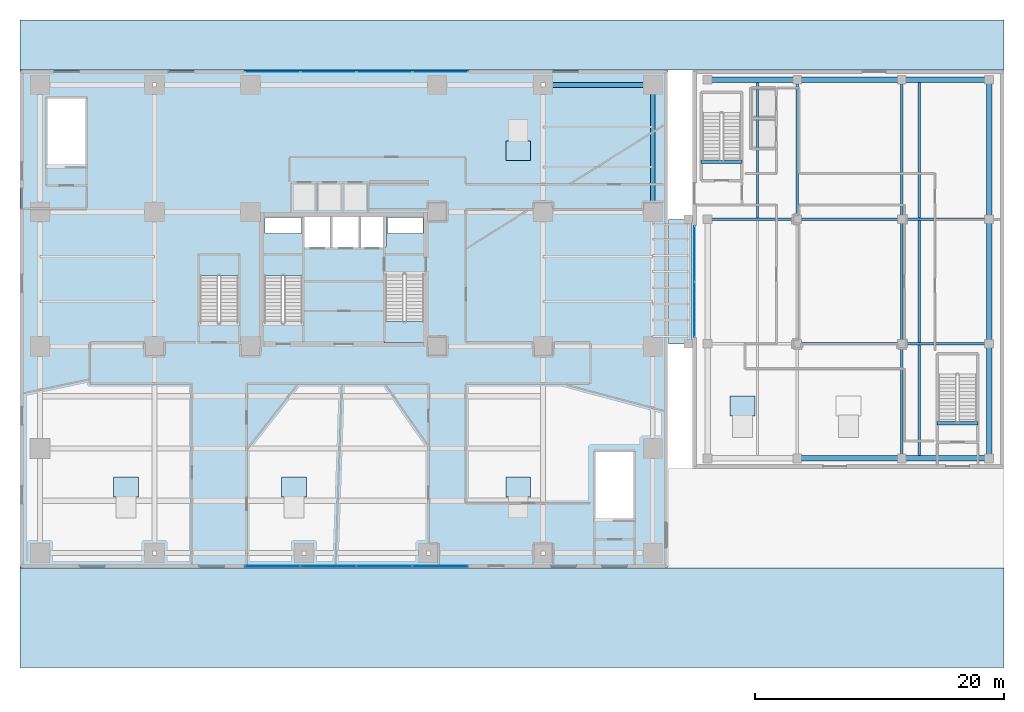
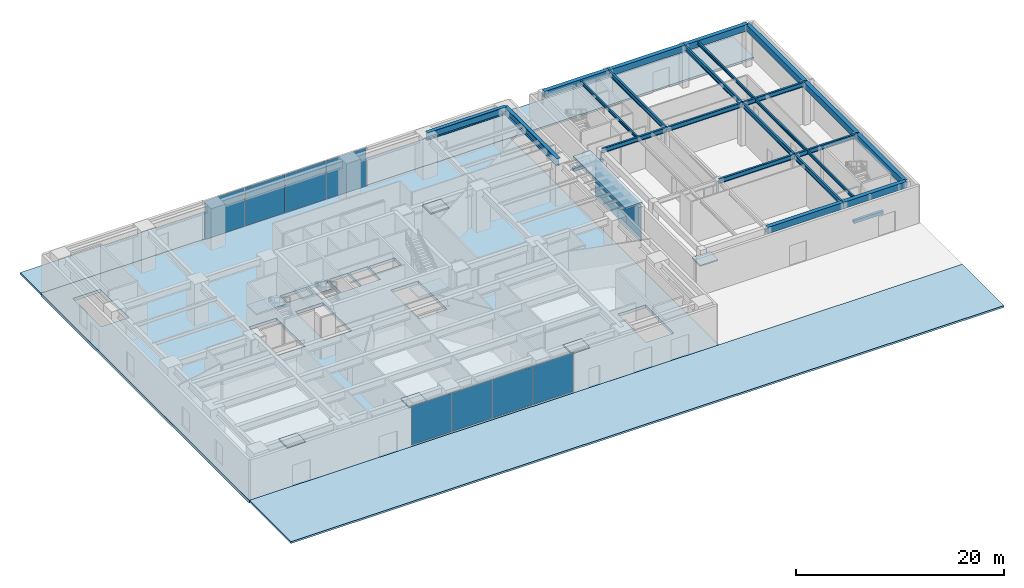
# One storey, part 16 of 28: 25 beams, 12 slabs, 10 plates, 6 elements without a shape of their own.
"""IFC4 building model written with IfcOpenShell, lengths in metres."""

from ifc_helpers import new_model, si_unit, direction, frame, origin, origin_2d, place, context, subcontext, project, spatial, polyline, rectangle, i_section, outline, extrude, source, transform, mapped, material, layer, layer_set, material_profile, profile_set, type_object, type_shapes, element, aggregate, save


model = new_model("IFC4")

# Units and contexts
model_context = context("Model", 3, precision=1e-05, world=origin(), true_north=direction((0.0, 1.0)))
body_context = subcontext(model_context, "Body", "Model", "MODEL_VIEW")
ifc_project = project(units=[si_unit("LENGTHUNIT", "METRE"), si_unit("AREAUNIT", "SQUARE_METRE"), si_unit("VOLUMEUNIT", "CUBIC_METRE"), si_unit("PLANEANGLEUNIT", "RADIAN"), si_unit("MASSUNIT", "GRAM", prefix="KILO")], contexts=[model_context])

# Site, building, storey
site_placement = place(None, origin())
site = spatial("IfcSite", under=ifc_project, at=site_placement, CompositionType="ELEMENT")
building_placement = place(site_placement, origin())
building = spatial("IfcBuilding", under=site, at=building_placement, Name="Talar Marvaseh", CompositionType="ELEMENT")
storey_placement = place(building_placement, origin())
storey = spatial("IfcBuildingStorey", under=building, at=storey_placement, Name="L00", CompositionType="ELEMENT", Elevation=0.0)

# Beams
ifc_material_1 = material(Name="Steel S355", Category="steel")
ifc_material_profile_1 = material_profile(ifc_material_1, i_section(OverallWidth=0.39990234375, OverallDepth=0.85498046875, WebThickness=0.018310546875, FlangeThickness=0.029296875, at=origin_2d()), Name="W840x299")
ifc_profile_set_1 = profile_set([ifc_material_profile_1], Name="Steel S355")
beam_type_1 = type_object("IfcBeamType", Name="Concourse Primary Girder W840x299", PredefinedType="BEAM", material=ifc_profile_set_1)
beam_1_placement = place(storey_placement, frame((42.0, 46.800048828125, 4.472412109375), z_axis=(1.0, 0.0, 0.0), x_axis=(0.0, 1.0, 0.0)))
element("IfcBeam", 1, at=beam_1_placement, inside=storey, type_object=beam_type_1, Name="L00 Concourse Primary Girder W840x299", PredefinedType="BEAM", context=body_context, shape_type="SweptSolid", body=[
    extrude(i_section(OverallWidth=0.39990234375, OverallDepth=0.85498046875, WebThickness=0.018310546875, FlangeThickness=0.029296875, at=origin_2d()), origin(), (0.0, 0.0, 1.0), 8.800048828125),
])
beam_2_placement = place(storey_placement, frame((50.800048828125, 36.60009765625, 4.472412109375), z_axis=(0.0, 1.0, 0.0), x_axis=(-1.0, 0.0, 0.0)))
element("IfcBeam", 2, at=beam_2_placement, inside=storey, type_object=beam_type_1, Name="L00 Concourse Primary Girder W840x299", PredefinedType="BEAM", context=body_context, shape_type="SweptSolid", body=[
    extrude(i_section(OverallWidth=0.39990234375, OverallDepth=0.85498046875, WebThickness=0.018310546875, FlangeThickness=0.029296875, at=origin_2d()), origin(), (0.0, 0.0, 1.0), 10.199951171875),
])
ifc_material_2 = material(Name="Concrete C40/50", Category="concrete")
ifc_material_profile_2 = material_profile(ifc_material_2, rectangle(XDim=0.300048828125, YDim=0.360107421875, at=origin_2d()), Name="RC300x360")
ifc_profile_set_2 = profile_set([ifc_material_profile_2], Name="Concrete C40/50")
beam_type_2 = type_object("IfcBeamType", Name="Concrete Stair Landing Trimmer Beam RC300x360", PredefinedType="SPANDREL", material=ifc_profile_set_2)
beam_3_placement = place(storey_placement, frame((57.97998046875, 40.6298828125, -0.179931640625), z_axis=(-1.0, 0.0, 0.0), x_axis=(0.0, -1.0, 0.0)))
element("IfcBeam", 3, at=beam_3_placement, inside=storey, type_object=beam_type_2, Name="L00 MH-ST1 Stair Nosing Trimmer Beam", PredefinedType="SPANDREL", context=body_context, shape_type="SweptSolid", body=[
    extrude(rectangle(XDim=0.300048828125, YDim=0.360107421875, at=origin_2d()), origin(), (0.0, 0.0, 1.0), 3.300048828125),
])
beam_4_placement = place(storey_placement, frame((76.919921875, 19.6298828125, -0.179931640625), z_axis=(-1.0, 0.0, 0.0), x_axis=(0.0, -1.0, 0.0)))
element("IfcBeam", 4, at=beam_4_placement, inside=storey, type_object=beam_type_2, Name="L00 MH-ST2 Stair Nosing Trimmer Beam", PredefinedType="SPANDREL", context=body_context, shape_type="SweptSolid", body=[
    extrude(rectangle(XDim=0.300048828125, YDim=0.360107421875, at=origin_2d()), origin(), (0.0, 0.0, 1.0), 3.2998046875),
])
ifc_material_profile_3 = material_profile(ifc_material_2, rectangle(XDim=0.449951171875, YDim=0.75, at=origin_2d()), Name="RC450x750")
ifc_profile_set_3 = profile_set([ifc_material_profile_3], Name="Concrete C40/50")
beam_type_3 = type_object("IfcBeamType", Name="Market Concrete Edge Beam RC450x750", PredefinedType="SPANDREL", material=ifc_profile_set_3)
beam_5_placement = place(storey_placement, frame((62.39990234375, 16.800048828125, 4.52490234375), z_axis=(1.0, 0.0, 0.0), x_axis=(0.0, 1.0, 0.0)))
element("IfcBeam", 5, at=beam_5_placement, inside=storey, type_object=beam_type_3, Name="L00 Market Concrete Edge Beam RC450x750", PredefinedType="SPANDREL", context=body_context, shape_type="SweptSolid", body=[
    extrude(rectangle(XDim=0.449951171875, YDim=0.75, at=origin_2d()), origin(), (0.0, 0.0, 1.0), 8.400146484375),
])
beam_6_placement = place(storey_placement, frame((70.800048828125, 16.800048828125, 4.52490234375), z_axis=(1.0, 0.0, 0.0), x_axis=(0.0, 1.0, 0.0)))
element("IfcBeam", 6, at=beam_6_placement, inside=storey, type_object=beam_type_3, Name="L00 Market Concrete Edge Beam RC450x750", PredefinedType="SPANDREL", context=body_context, shape_type="SweptSolid", body=[
    extrude(rectangle(XDim=0.449951171875, YDim=0.75, at=origin_2d()), origin(), (0.0, 0.0, 1.0), 7.0),
])
beam_7_placement = place(storey_placement, frame((55.199951171875, 47.199951171875, 4.52490234375), z_axis=(1.0, 0.0, 0.0), x_axis=(0.0, 1.0, 0.0)))
element("IfcBeam", 7, at=beam_7_placement, inside=storey, type_object=beam_type_3, Name="L00 Market Concrete Edge Beam RC450x750", PredefinedType="SPANDREL", context=body_context, shape_type="SweptSolid", body=[
    extrude(rectangle(XDim=0.449951171875, YDim=0.75, at=origin_2d()), origin(), (0.0, 0.0, 1.0), 7.199951171875),
])
beam_8_placement = place(storey_placement, frame((62.39990234375, 47.199951171875, 4.52490234375), z_axis=(1.0, 0.0, 0.0), x_axis=(0.0, 1.0, 0.0)))
element("IfcBeam", 8, at=beam_8_placement, inside=storey, type_object=beam_type_3, Name="L00 Market Concrete Edge Beam RC450x750", PredefinedType="SPANDREL", context=body_context, shape_type="SweptSolid", body=[
    extrude(rectangle(XDim=0.449951171875, YDim=0.75, at=origin_2d()), origin(), (0.0, 0.0, 1.0), 8.400146484375),
])
beam_9_placement = place(storey_placement, frame((70.800048828125, 47.199951171875, 4.52490234375), z_axis=(1.0, 0.0, 0.0), x_axis=(0.0, 1.0, 0.0)))
element("IfcBeam", 9, at=beam_9_placement, inside=storey, type_object=beam_type_3, Name="L00 Market Concrete Edge Beam RC450x750", PredefinedType="SPANDREL", context=body_context, shape_type="SweptSolid", body=[
    extrude(rectangle(XDim=0.449951171875, YDim=0.75, at=origin_2d()), origin(), (0.0, 0.0, 1.0), 7.0),
])
beam_10_placement = place(storey_placement, frame((77.800048828125, 16.800048828125, 4.52490234375), z_axis=(0.0, 1.0, 0.0), x_axis=(-1.0, 0.0, 0.0)))
element("IfcBeam", 10, at=beam_10_placement, inside=storey, type_object=beam_type_3, Name="L00 Market Concrete Edge Beam RC450x750", PredefinedType="SPANDREL", context=body_context, shape_type="SweptSolid", body=[
    extrude(rectangle(XDim=0.449951171875, YDim=0.75, at=origin_2d()), origin(), (0.0, 0.0, 1.0), 9.199951171875),
])
beam_11_placement = place(storey_placement, frame((77.800048828125, 26.0, 4.52490234375), z_axis=(0.0, 1.0, 0.0), x_axis=(-1.0, 0.0, 0.0)))
element("IfcBeam", 11, at=beam_11_placement, inside=storey, type_object=beam_type_3, Name="L00 Market Concrete Edge Beam RC450x750", PredefinedType="SPANDREL", context=body_context, shape_type="SweptSolid", body=[
    extrude(rectangle(XDim=0.449951171875, YDim=0.75, at=origin_2d()), origin(), (0.0, 0.0, 1.0), 10.0),
])
beam_12_placement = place(storey_placement, frame((77.800048828125, 36.0, 4.52490234375), z_axis=(0.0, 1.0, 0.0), x_axis=(-1.0, 0.0, 0.0)))
element("IfcBeam", 12, at=beam_12_placement, inside=storey, type_object=beam_type_3, Name="L00 Market Concrete Edge Beam RC450x750", PredefinedType="SPANDREL", context=body_context, shape_type="SweptSolid", body=[
    extrude(rectangle(XDim=0.449951171875, YDim=0.75, at=origin_2d()), origin(), (0.0, 0.0, 1.0), 11.199951171875),
])
ifc_material_profile_4 = material_profile(ifc_material_1, i_section(OverallWidth=0.2119140625, OverallDepth=0.5439453125, WebThickness=0.01318359375, FlangeThickness=0.021240234375, at=origin_2d()), Name="W530x123")
ifc_profile_set_4 = profile_set([ifc_material_profile_4], Name="Steel S355")
beam_type_4 = type_object("IfcBeamType", Name="Market Hall Primary Girder W530x123", PredefinedType="BEAM", material=ifc_profile_set_4)
beam_13_placement = place(storey_placement, frame((62.39990234375, 26.0, 4.6279296875), z_axis=(1.0, 0.0, 0.0), x_axis=(0.0, 1.0, 0.0)))
element("IfcBeam", 13, at=beam_13_placement, inside=storey, type_object=beam_type_4, Name="L00 Market Hall Primary Girder W530x123", PredefinedType="BEAM", context=body_context, shape_type="SweptSolid", body=[
    extrude(i_section(OverallWidth=0.2119140625, OverallDepth=0.5439453125, WebThickness=0.01318359375, FlangeThickness=0.021240234375, at=origin_2d()), origin(), (0.0, 0.0, 1.0), 8.400146484375),
])
beam_14_placement = place(storey_placement, frame((70.800048828125, 26.0, 4.6279296875), z_axis=(1.0, 0.0, 0.0), x_axis=(0.0, 1.0, 0.0)))
element("IfcBeam", 14, at=beam_14_placement, inside=storey, type_object=beam_type_4, Name="L00 Market Hall Primary Girder W530x123", PredefinedType="BEAM", context=body_context, shape_type="SweptSolid", body=[
    extrude(i_section(OverallWidth=0.2119140625, OverallDepth=0.5439453125, WebThickness=0.01318359375, FlangeThickness=0.021240234375, at=origin_2d()), origin(), (0.0, 0.0, 1.0), 7.0),
])
beam_15_placement = place(storey_placement, frame((55.199951171875, 36.0, 4.6279296875), z_axis=(1.0, 0.0, 0.0), x_axis=(0.0, 1.0, 0.0)))
element("IfcBeam", 15, at=beam_15_placement, inside=storey, type_object=beam_type_4, Name="L00 Market Hall Primary Girder W530x123", PredefinedType="BEAM", context=body_context, shape_type="SweptSolid", body=[
    extrude(i_section(OverallWidth=0.2119140625, OverallDepth=0.5439453125, WebThickness=0.01318359375, FlangeThickness=0.021240234375, at=origin_2d()), origin(), (0.0, 0.0, 1.0), 7.199951171875),
])
beam_16_placement = place(storey_placement, frame((62.39990234375, 36.0, 4.6279296875), z_axis=(1.0, 0.0, 0.0), x_axis=(0.0, 1.0, 0.0)))
element("IfcBeam", 16, at=beam_16_placement, inside=storey, type_object=beam_type_4, Name="L00 Market Hall Primary Girder W530x123", PredefinedType="BEAM", context=body_context, shape_type="SweptSolid", body=[
    extrude(i_section(OverallWidth=0.2119140625, OverallDepth=0.5439453125, WebThickness=0.01318359375, FlangeThickness=0.021240234375, at=origin_2d()), origin(), (0.0, 0.0, 1.0), 8.400146484375),
])
beam_17_placement = place(storey_placement, frame((70.800048828125, 36.0, 4.6279296875), z_axis=(1.0, 0.0, 0.0), x_axis=(0.0, 1.0, 0.0)))
element("IfcBeam", 17, at=beam_17_placement, inside=storey, type_object=beam_type_4, Name="L00 Market Hall Primary Girder W530x123", PredefinedType="BEAM", context=body_context, shape_type="SweptSolid", body=[
    extrude(i_section(OverallWidth=0.2119140625, OverallDepth=0.5439453125, WebThickness=0.01318359375, FlangeThickness=0.021240234375, at=origin_2d()), origin(), (0.0, 0.0, 1.0), 7.0),
])
beam_18_placement = place(storey_placement, frame((62.39990234375, 36.0, 4.6279296875), z_axis=(0.0, 1.0, 0.0), x_axis=(-1.0, 0.0, 0.0)))
element("IfcBeam", 18, at=beam_18_placement, inside=storey, type_object=beam_type_4, Name="L00 Market Hall Primary Girder W530x123", PredefinedType="BEAM", context=body_context, shape_type="SweptSolid", body=[
    extrude(i_section(OverallWidth=0.2119140625, OverallDepth=0.5439453125, WebThickness=0.01318359375, FlangeThickness=0.021240234375, at=origin_2d()), origin(), (0.0, 0.0, 1.0), 11.199951171875),
])
beam_19_placement = place(storey_placement, frame((70.800048828125, 16.800048828125, 4.6279296875), z_axis=(0.0, 1.0, 0.0), x_axis=(-1.0, 0.0, 0.0)))
element("IfcBeam", 19, at=beam_19_placement, inside=storey, type_object=beam_type_4, Name="L00 Market Hall Primary Girder W530x123", PredefinedType="BEAM", context=body_context, shape_type="SweptSolid", body=[
    extrude(i_section(OverallWidth=0.2119140625, OverallDepth=0.5439453125, WebThickness=0.01318359375, FlangeThickness=0.021240234375, at=origin_2d()), origin(), (0.0, 0.0, 1.0), 9.199951171875),
])
beam_20_placement = place(storey_placement, frame((70.800048828125, 26.0, 4.6279296875), z_axis=(0.0, 1.0, 0.0), x_axis=(-1.0, 0.0, 0.0)))
element("IfcBeam", 20, at=beam_20_placement, inside=storey, type_object=beam_type_4, Name="L00 Market Hall Primary Girder W530x123", PredefinedType="BEAM", context=body_context, shape_type="SweptSolid", body=[
    extrude(i_section(OverallWidth=0.2119140625, OverallDepth=0.5439453125, WebThickness=0.01318359375, FlangeThickness=0.021240234375, at=origin_2d()), origin(), (0.0, 0.0, 1.0), 10.0),
])
beam_21_placement = place(storey_placement, frame((70.800048828125, 36.0, 4.6279296875), z_axis=(0.0, 1.0, 0.0), x_axis=(-1.0, 0.0, 0.0)))
element("IfcBeam", 21, at=beam_21_placement, inside=storey, type_object=beam_type_4, Name="L00 Market Hall Primary Girder W530x123", PredefinedType="BEAM", context=body_context, shape_type="SweptSolid", body=[
    extrude(i_section(OverallWidth=0.2119140625, OverallDepth=0.5439453125, WebThickness=0.01318359375, FlangeThickness=0.021240234375, at=origin_2d()), origin(), (0.0, 0.0, 1.0), 11.199951171875),
])
ifc_material_profile_5 = material_profile(ifc_material_1, i_section(OverallWidth=0.172119140625, OverallDepth=0.35791015625, WebThickness=0.0078125, FlangeThickness=0.01318359375, at=origin_2d()), Name="W360x57")
ifc_profile_set_5 = profile_set([ifc_material_profile_5], Name="Steel S355")
beam_type_5 = type_object("IfcBeamType", Name="Zone 2 Secondary Floor Joist W360x57", PredefinedType="JOIST", material=ifc_profile_set_5)
beam_22_placement = place(storey_placement, frame((59.199951171875, 36.10498046875, 4.720947265625), z_axis=(0.0, 1.0, 0.0), x_axis=(-1.0, 0.0, 0.0)))
element("IfcBeam", 22, at=beam_22_placement, inside=storey, type_object=beam_type_5, Name="L00 Zone 2 Secondary Floor Joist W360x57", PredefinedType="JOIST", context=body_context, shape_type="SweptSolid", body=[
    extrude(i_section(OverallWidth=0.172119140625, OverallDepth=0.35791015625, WebThickness=0.0078125, FlangeThickness=0.01318359375, at=origin_2d()), origin(), (0.0, 0.0, 1.0), 10.875),
])
beam_23_placement = place(storey_placement, frame((72.199951171875, 17.02001953125, 4.720947265625), z_axis=(0.0, 1.0, 0.0), x_axis=(-1.0, 0.0, 0.0)))
element("IfcBeam", 23, at=beam_23_placement, inside=storey, type_object=beam_type_5, Name="L00 Zone 2 Secondary Floor Joist W360x57", PredefinedType="JOIST", context=body_context, shape_type="SweptSolid", body=[
    extrude(i_section(OverallWidth=0.172119140625, OverallDepth=0.35791015625, WebThickness=0.0078125, FlangeThickness=0.01318359375, at=origin_2d()), origin(), (0.0, 0.0, 1.0), 8.875),
])
beam_24_placement = place(storey_placement, frame((72.199951171875, 26.10498046875, 4.720947265625), z_axis=(0.0, 1.0, 0.0), x_axis=(-1.0, 0.0, 0.0)))
element("IfcBeam", 24, at=beam_24_placement, inside=storey, type_object=beam_type_5, Name="L00 Zone 2 Secondary Floor Joist W360x57", PredefinedType="JOIST", context=body_context, shape_type="SweptSolid", body=[
    extrude(i_section(OverallWidth=0.172119140625, OverallDepth=0.35791015625, WebThickness=0.0078125, FlangeThickness=0.01318359375, at=origin_2d()), origin(), (0.0, 0.0, 1.0), 9.7900390625),
])
beam_25_placement = place(storey_placement, frame((72.199951171875, 36.10498046875, 4.720947265625), z_axis=(0.0, 1.0, 0.0), x_axis=(-1.0, 0.0, 0.0)))
element("IfcBeam", 25, at=beam_25_placement, inside=storey, type_object=beam_type_5, Name="L00 Zone 2 Secondary Floor Joist W360x57", PredefinedType="JOIST", context=body_context, shape_type="SweptSolid", body=[
    extrude(i_section(OverallWidth=0.172119140625, OverallDepth=0.35791015625, WebThickness=0.0078125, FlangeThickness=0.01318359375, at=origin_2d()), origin(), (0.0, 0.0, 1.0), 10.875),
])

# Slabs
ifc_material_3 = material(Name="Precast concrete C45/55", Category="concrete")
ifc_layer_1 = layer(ifc_material_3, 0.215087890625)
ifc_layer_set_1 = layer_set([ifc_layer_1], Name="Precast concrete C45/55")
slab_type_1 = type_object("IfcSlabType", Name="Chahar-Bagh Public Plaza Granite Paving Slab 215", PredefinedType="USERDEFINED", material=ifc_layer_set_1)
slab_1_placement = place(storey_placement, frame((0.0, 0.0, -0.215087890625)))
element("IfcSlab", 26, at=slab_1_placement, inside=storey, type_object=slab_type_1, Name="L00 Chahar-Bagh Public Plaza Paving 1", ObjectType="PAVING", PredefinedType="USERDEFINED", context=body_context, shape_type="SweptSolid", body=[
    extrude(outline(polyline([(0.0, 0.0), (79.0, 0.0), (79.0, 8.0), (0.0, 8.0), (0.0, 0.0)])), origin(), (0.0, 0.0, 1.0), 0.215087890625),
])
slab_2_placement = place(storey_placement, frame((0.0, 0.0, -0.215087890625)))
element("IfcSlab", 27, at=slab_2_placement, inside=storey, type_object=slab_type_1, Name="L00 Chahar-Bagh Public Plaza Paving 3", ObjectType="PAVING", PredefinedType="USERDEFINED", context=body_context, shape_type="SweptSolid", body=[
    extrude(outline(polyline([(0.0, 48.0), (79.0, 48.0), (79.0, 52.0), (0.0, 52.0), (0.0, 48.0)])), origin(), (0.0, 0.0, 1.0), 0.215087890625),
])
ifc_layer_2 = layer(ifc_material_3, 0.22509765625)
ifc_layer_set_2 = layer_set([ifc_layer_2], Name="Precast concrete C45/55")
slab_type_2 = type_object("IfcSlabType", Name="Entrance Canopy Roof Slab 225", PredefinedType="ROOF", material=ifc_layer_set_2)
slab_3_placement = place(storey_placement, frame((0.0, 0.0, 4.89990234375)))
element("IfcSlab", 28, at=slab_3_placement, inside=storey, type_object=slab_type_2, Name="L00 Movement-Joint Plaza Link Canopy", PredefinedType="ROOF", context=body_context, shape_type="SweptSolid", body=[
    extrude(outline(polyline([(52.050048828125, 26.0), (53.969970703125, 26.0), (53.969970703125, 36.0), (52.050048828125, 36.0), (52.050048828125, 26.0)])), origin(), (0.0, 0.0, 1.0), 0.22509765625),
])

# Stair, slab
stair_type = type_object("IfcStairType", Name="Reinforced Concrete Half-Turn Exit Stair Type A", PredefinedType="HALF_TURN_STAIR", material=ifc_material_2)
stair_1_placement = place(storey_placement, origin())
stair_1 = element("IfcStair", 29, at=stair_1_placement, inside=storey, type_object=stair_type, Name="L00 Tower West Core Exit Stair", PredefinedType="HALF_TURN_STAIR")
ifc_layer_3 = layer(ifc_material_2, 0.199951171875)
ifc_layer_set_3 = layer_set([ifc_layer_3], Name="Concrete C40/50")
slab_type_3 = type_object("IfcSlabType", Name="Reinforced Concrete Stair Half-Landing Slab 200", PredefinedType="LANDING", material=ifc_layer_set_3)
slab_4_placement = place(storey_placement, frame((0.0, 0.0, 2.39990234375)))
slab_4 = element("IfcSlab", 30, at=slab_4_placement, type_object=slab_type_3, Name="ST-1 landing 1", PredefinedType="LANDING", context=body_context, shape_type="SweptSolid", body=[
    extrude(outline(polyline([(22.780029296875, 31.449951171875), (22.780029296875, 33.219970703125), (19.47998046875, 33.219970703125), (19.47998046875, 31.449951171875), (22.780029296875, 31.449951171875)])), origin(), (0.0, 0.0, 1.0), 0.2001953125),
])
aggregate(stair_1, [slab_4])

stair_2_placement = place(storey_placement, origin())
stair_2 = element("IfcStair", 31, at=stair_2_placement, inside=storey, type_object=stair_type, Name="L00 Tower East Core Exit Stair", PredefinedType="HALF_TURN_STAIR")
slab_5_placement = place(storey_placement, frame((0.0, 0.0, 2.39990234375)))
slab_5 = element("IfcSlab", 32, at=slab_5_placement, type_object=slab_type_3, Name="ST-2 landing 1", PredefinedType="LANDING", context=body_context, shape_type="SweptSolid", body=[
    extrude(outline(polyline([(29.219970703125, 27.85009765625), (29.219970703125, 26.080078125), (32.52001953125, 26.080078125), (32.52001953125, 27.85009765625), (29.219970703125, 27.85009765625)])), origin(), (0.0, 0.0, 1.0), 0.2001953125),
])
aggregate(stair_2, [slab_5])

stair_3_placement = place(storey_placement, origin())
stair_3 = element("IfcStair", 33, at=stair_3_placement, inside=storey, type_object=stair_type, Name="L00 Museum & Podium Auxiliary Exit Stair", PredefinedType="HALF_TURN_STAIR")
slab_6_placement = place(storey_placement, frame((0.0, 0.0, 2.39990234375)))
slab_6 = element("IfcSlab", 34, at=slab_6_placement, type_object=slab_type_3, Name="ST-3 landing 1", PredefinedType="LANDING", context=body_context, shape_type="SweptSolid", body=[
    extrude(outline(polyline([(17.6201171875, 31.449951171875), (17.6201171875, 33.219970703125), (14.320068359375, 33.219970703125), (14.320068359375, 31.449951171875), (17.6201171875, 31.449951171875)])), origin(), (0.0, 0.0, 1.0), 0.2001953125),
])
aggregate(stair_3, [slab_6])

# Slabs
slab_7_placement = place(storey_placement, origin())
element("IfcSlab", 35, at=slab_7_placement, inside=storey, type_object=slab_type_3, Name="L00 West Gallery Threshold Accessible Ramp Top Landing Plinth", PredefinedType="LANDING", context=body_context, shape_type="SweptSolid", body=[
    extrude(outline(polyline([(7.5, 13.699951171875), (9.5, 13.699951171875), (9.5, 15.300048828125), (7.5, 15.300048828125), (7.5, 13.699951171875)])), origin(), (0.0, 0.0, 1.0), 0.14990234375),
])
slab_8_placement = place(storey_placement, origin())
element("IfcSlab", 36, at=slab_8_placement, inside=storey, type_object=slab_type_3, Name="L00 South Foyer Threshold Accessible Ramp Top Landing Plinth", PredefinedType="LANDING", context=body_context, shape_type="SweptSolid", body=[
    extrude(outline(polyline([(21.0, 13.699951171875), (23.0, 13.699951171875), (23.0, 15.300048828125), (21.0, 15.300048828125), (21.0, 13.699951171875)])), origin(), (0.0, 0.0, 1.0), 0.14990234375),
])
slab_9_placement = place(storey_placement, origin())
element("IfcSlab", 37, at=slab_9_placement, inside=storey, type_object=slab_type_3, Name="L00 East Concourse Threshold Accessible Ramp Top Landing Plinth", PredefinedType="LANDING", context=body_context, shape_type="SweptSolid", body=[
    extrude(outline(polyline([(39.0, 13.699951171875), (41.0, 13.699951171875), (41.0, 15.300048828125), (39.0, 15.300048828125), (39.0, 13.699951171875)])), origin(), (0.0, 0.0, 1.0), 0.14990234375),
])
slab_10_placement = place(storey_placement, origin())
element("IfcSlab", 38, at=slab_10_placement, inside=storey, type_object=slab_type_3, Name="L00 Market South-West Threshold Accessible Ramp Top Landing Plinth", PredefinedType="LANDING", context=body_context, shape_type="SweptSolid", body=[
    extrude(outline(polyline([(57.0, 20.199951171875), (59.0, 20.199951171875), (59.0, 21.800048828125), (57.0, 21.800048828125), (57.0, 20.199951171875)])), origin(), (0.0, 0.0, 1.0), 0.14990234375),
])
slab_11_placement = place(storey_placement, origin())
element("IfcSlab", 39, at=slab_11_placement, inside=storey, type_object=slab_type_3, Name="L00 North Gallery Threshold Accessible Ramp Top Landing Plinth", PredefinedType="LANDING", context=body_context, shape_type="SweptSolid", body=[
    extrude(outline(polyline([(39.0, 40.699951171875), (41.0, 40.699951171875), (41.0, 42.300048828125), (39.0, 42.300048828125), (39.0, 40.699951171875)])), origin(), (0.0, 0.0, 1.0), 0.14990234375),
])
ifc_material_4 = material(Name="Concrete C50/60", Category="concrete")
ifc_layer_4 = layer(ifc_material_4, 0.35009765625)
ifc_layer_set_4 = layer_set([ifc_layer_4], Name="Concrete C50/60")
slab_type_4 = type_object("IfcSlabType", Name="Structural Suspended Floor Slab 350", PredefinedType="FLOOR", material=ifc_layer_set_4)
slab_12_placement = place(storey_placement, frame((0.0, 0.0, -0.35009765625)))
element("IfcSlab", 40, at=slab_12_placement, inside=storey, type_object=slab_type_4, Name="L00 Tower Station Podium Floor Slab", PredefinedType="FLOOR", context=body_context, shape_type="SweptSolid", body=[
    extrude(outline(polyline([(0.0, 8.0), (52.0, 8.0), (52.0, 48.0), (0.0, 48.0), (0.0, 8.0)]), holes=[polyline([(22.659912109375, 27.64990234375), (22.659912109375, 33.10009765625), (19.60009765625, 33.10009765625), (19.60009765625, 27.64990234375), (22.659912109375, 27.64990234375)]), polyline([(29.340087890625, 31.64990234375), (29.340087890625, 26.199951171875), (32.39990234375, 26.199951171875), (32.39990234375, 31.64990234375), (29.340087890625, 31.64990234375)]), polyline([(17.5, 27.64990234375), (17.5, 33.10009765625), (14.43994140625, 33.10009765625), (14.43994140625, 27.64990234375), (17.5, 27.64990234375)]), polyline([(5.260009765625, 40.25), (5.260009765625, 45.699951171875), (2.199951171875, 45.699951171875), (2.199951171875, 40.25), (5.260009765625, 40.25)]), polyline([(49.260009765625, 11.85009765625), (49.260009765625, 17.300048828125), (46.199951171875, 17.300048828125), (46.199951171875, 11.85009765625), (49.260009765625, 11.85009765625)]), polyline([(22.800048828125, 33.719970703125), (24.93994140625, 33.719970703125), (24.93994140625, 36.179931640625), (22.800048828125, 36.179931640625), (22.800048828125, 33.719970703125)]), polyline([(25.080078125, 33.719970703125), (27.219970703125, 33.719970703125), (27.219970703125, 36.179931640625), (25.080078125, 36.179931640625), (25.080078125, 33.719970703125)]), polyline([(27.360107421875, 33.719970703125), (29.39990234375, 33.719970703125), (29.39990234375, 36.179931640625), (27.360107421875, 36.179931640625), (27.360107421875, 33.719970703125)]), polyline([(19.659912109375, 34.840087890625), (22.60009765625, 34.840087890625), (22.60009765625, 36.139892578125), (19.659912109375, 36.139892578125), (19.659912109375, 34.840087890625)]), polyline([(29.52001953125, 34.840087890625), (32.340087890625, 34.840087890625), (32.340087890625, 36.139892578125), (29.52001953125, 36.139892578125), (29.52001953125, 34.840087890625)])]), origin(), (0.0, 0.0, 1.0), 0.35009765625),
])

# Curtain wall, plates
ifc_material_5 = material(Name="Architectural Aluminium", Category="aluminium")
ifc_layer_5 = layer(ifc_material_5, 0.25)
ifc_layer_set_5 = layer_set([ifc_layer_5], Name="Architectural Aluminium")
curtain_wall_type_1 = type_object("IfcCurtainWallType", Name="Station Podium Monumental Iwan Curtain Wall", PredefinedType="NOTDEFINED", material=ifc_layer_set_5)
curtain_wall_1_placement = place(storey_placement, origin())
curtain_wall_1 = element("IfcCurtainWall", 41, at=curtain_wall_1_placement, inside=storey, type_object=curtain_wall_type_1, Name="L00 Station Podium Monumental Iwan Curtain Wall", PredefinedType="NOTDEFINED")
ifc_material_6 = material(Name="Laminated Low-E Solar Glass", Category="glass")
ifc_layer_6 = layer(ifc_material_6, 0.028076171875)
ifc_layer_set_6 = layer_set([ifc_layer_6], Name="Laminated Low-E Solar Glass")
plate_type = type_object("IfcPlateType", Name="Double-Glazed Low-E Vision Curtain Panel 28", PredefinedType="CURTAIN_PANEL", material=ifc_layer_set_6)
shared_shape_1 = source(origin(), body_context, "Body", "SweptSolid", [
    extrude(rectangle(XDim=4.402587890625, YDim=0.028076171875, at=origin_2d()), origin(), (0.0, 0.0, 1.0), 4.52001953125),
])
plate_1_placement = place(storey_placement, frame((33.733642578125, 8.159912109375, 0.06494140625), z_axis=(0.0, 0.0, 1.0), x_axis=(-1.0, 0.0, 0.0)))
plate_1 = element("IfcPlate", 42, at=plate_1_placement, type_object=plate_type, Name="CW-POD panel 1.1", PredefinedType="CURTAIN_PANEL", context=body_context, shape_type="MappedRepresentation", body=[
    mapped(shared_shape_1, transform((0.0, 0.0, 0.0), x_axis=(1.0, 0.0, 0.0), y_axis=(0.0, 1.0, 0.0), z_axis=(0.0, 0.0, 1.0), scale=1.0)),
])
plate_2_placement = place(storey_placement, frame((20.266357421875, 8.159912109375, 0.06494140625), z_axis=(0.0, 0.0, 1.0), x_axis=(-1.0, 0.0, 0.0)))
plate_2 = element("IfcPlate", 43, at=plate_2_placement, type_object=plate_type, Name="CW-POD panel 4.1", PredefinedType="CURTAIN_PANEL", context=body_context, shape_type="MappedRepresentation", body=[
    mapped(shared_shape_1, transform((0.0, 0.0, 0.0), x_axis=(1.0, 0.0, 0.0), y_axis=(0.0, 1.0, 0.0), z_axis=(0.0, 0.0, 1.0), scale=1.0)),
])

curtain_wall_2_placement = place(storey_placement, origin())
curtain_wall_2 = element("IfcCurtainWall", 44, at=curtain_wall_2_placement, inside=storey, type_object=curtain_wall_type_1, Name="L00 Station Podium Monumental Iwan Curtain Wall", PredefinedType="NOTDEFINED")
plate_3_placement = place(storey_placement, frame((20.266357421875, 47.840087890625, 0.06494140625), z_axis=(0.0, 0.0, 1.0), x_axis=(1.0, 0.0, 0.0)))
plate_3 = element("IfcPlate", 45, at=plate_3_placement, type_object=plate_type, Name="CW-POD panel 1.1", PredefinedType="CURTAIN_PANEL", context=body_context, shape_type="MappedRepresentation", body=[
    mapped(shared_shape_1, transform((0.0, 0.0, 0.0), x_axis=(1.0, 0.0, 0.0), y_axis=(0.0, 1.0, 0.0), z_axis=(0.0, 0.0, 1.0), scale=1.0)),
])
plate_4_placement = place(storey_placement, frame((33.733642578125, 47.840087890625, 0.06494140625), z_axis=(0.0, 0.0, 1.0), x_axis=(1.0, 0.0, 0.0)))
plate_4 = element("IfcPlate", 46, at=plate_4_placement, type_object=plate_type, Name="CW-POD panel 4.1", PredefinedType="CURTAIN_PANEL", context=body_context, shape_type="MappedRepresentation", body=[
    mapped(shared_shape_1, transform((0.0, 0.0, 0.0), x_axis=(1.0, 0.0, 0.0), y_axis=(0.0, 1.0, 0.0), z_axis=(0.0, 0.0, 1.0), scale=1.0)),
])

# Plate
shared_shape_2 = source(origin(), body_context, "Body", "SweptSolid", [
    extrude(rectangle(XDim=4.43505859375, YDim=0.028076171875, at=origin_2d()), origin(), (0.0, 0.0, 1.0), 4.52001953125),
])
plate_5_placement = place(storey_placement, frame((29.25, 8.159912109375, 0.06494140625), z_axis=(0.0, 0.0, 1.0), x_axis=(-1.0, 0.0, 0.0)))
plate_5 = element("IfcPlate", 47, at=plate_5_placement, type_object=plate_type, Name="CW-POD panel 2.1", PredefinedType="CURTAIN_PANEL", context=body_context, shape_type="MappedRepresentation", body=[
    mapped(shared_shape_2, transform((0.0, 0.0, 0.0), x_axis=(1.0, 0.0, 0.0), y_axis=(0.0, 1.0, 0.0), z_axis=(0.0, 0.0, 1.0), scale=1.0)),
])

plate_6_placement = place(storey_placement, frame((24.75, 8.159912109375, 0.06494140625), z_axis=(0.0, 0.0, 1.0), x_axis=(-1.0, 0.0, 0.0)))
plate_6 = element("IfcPlate", 48, at=plate_6_placement, type_object=plate_type, Name="CW-POD panel 3.1", PredefinedType="CURTAIN_PANEL", context=body_context, shape_type="MappedRepresentation", body=[
    mapped(shared_shape_2, transform((0.0, 0.0, 0.0), x_axis=(1.0, 0.0, 0.0), y_axis=(0.0, 1.0, 0.0), z_axis=(0.0, 0.0, 1.0), scale=1.0)),
])

aggregate(curtain_wall_1, [plate_1, plate_5, plate_6, plate_2])

plate_7_placement = place(storey_placement, frame((24.75, 47.840087890625, 0.06494140625), z_axis=(0.0, 0.0, 1.0), x_axis=(1.0, 0.0, 0.0)))
plate_7 = element("IfcPlate", 49, at=plate_7_placement, type_object=plate_type, Name="CW-POD panel 2.1", PredefinedType="CURTAIN_PANEL", context=body_context, shape_type="MappedRepresentation", body=[
    mapped(shared_shape_2, transform((0.0, 0.0, 0.0), x_axis=(1.0, 0.0, 0.0), y_axis=(0.0, 1.0, 0.0), z_axis=(0.0, 0.0, 1.0), scale=1.0)),
])

plate_8_placement = place(storey_placement, frame((29.25, 47.840087890625, 0.06494140625), z_axis=(0.0, 0.0, 1.0), x_axis=(1.0, 0.0, 0.0)))
plate_8 = element("IfcPlate", 50, at=plate_8_placement, type_object=plate_type, Name="CW-POD panel 3.1", PredefinedType="CURTAIN_PANEL", context=body_context, shape_type="MappedRepresentation", body=[
    mapped(shared_shape_2, transform((0.0, 0.0, 0.0), x_axis=(1.0, 0.0, 0.0), y_axis=(0.0, 1.0, 0.0), z_axis=(0.0, 0.0, 1.0), scale=1.0)),
])

aggregate(curtain_wall_2, [plate_3, plate_7, plate_8, plate_4])

# Curtain wall, plates
ifc_layer_7 = layer(ifc_material_5, 0.169921875)
ifc_layer_set_7 = layer_set([ifc_layer_7], Name="Architectural Aluminium")
curtain_wall_type_2 = type_object("IfcCurtainWallType", Name="Market Hall Clerestory and Courtyard Curtain Wall", PredefinedType="NOTDEFINED", material=ifc_layer_set_7)
curtain_wall_3_placement = place(storey_placement, origin())
curtain_wall_3 = element("IfcCurtainWall", 51, at=curtain_wall_3_placement, inside=storey, type_object=curtain_wall_type_2, Name="L00 Market Hall Clerestory and Courtyard Curtain Wall", PredefinedType="NOTDEFINED")
shared_shape_3 = source(origin(), body_context, "Body", "SweptSolid", [
    extrude(rectangle(XDim=4.402587890625, YDim=0.028076171875, at=origin_2d()), origin(), (0.0, 0.0, 1.0), 4.27001953125),
])
type_shapes(plate_type, [shared_shape_1, shared_shape_2, shared_shape_3])
plate_9_placement = place(storey_placement, frame((54.14990234375, 28.766357421875, 0.06494140625), z_axis=(0.0, 0.0, 1.0), x_axis=(0.0, 1.0, 0.0)))
plate_9 = element("IfcPlate", 52, at=plate_9_placement, type_object=plate_type, Name="CW-MKT panel 1.1", PredefinedType="CURTAIN_PANEL", context=body_context, shape_type="MappedRepresentation", body=[
    mapped(shared_shape_3, transform((0.0, 0.0, 0.0), x_axis=(1.0, 0.0, 0.0), y_axis=(0.0, 1.0, 0.0), z_axis=(0.0, 0.0, 1.0), scale=1.0)),
])
plate_10_placement = place(storey_placement, frame((54.14990234375, 33.233642578125, 0.06494140625), z_axis=(0.0, 0.0, 1.0), x_axis=(0.0, 1.0, 0.0)))
plate_10 = element("IfcPlate", 53, at=plate_10_placement, type_object=plate_type, Name="CW-MKT panel 2.1", PredefinedType="CURTAIN_PANEL", context=body_context, shape_type="MappedRepresentation", body=[
    mapped(shared_shape_3, transform((0.0, 0.0, 0.0), x_axis=(1.0, 0.0, 0.0), y_axis=(0.0, 1.0, 0.0), z_axis=(0.0, 0.0, 1.0), scale=1.0)),
])
aggregate(curtain_wall_3, [plate_9, plate_10])

save(model, "model.ifc")
